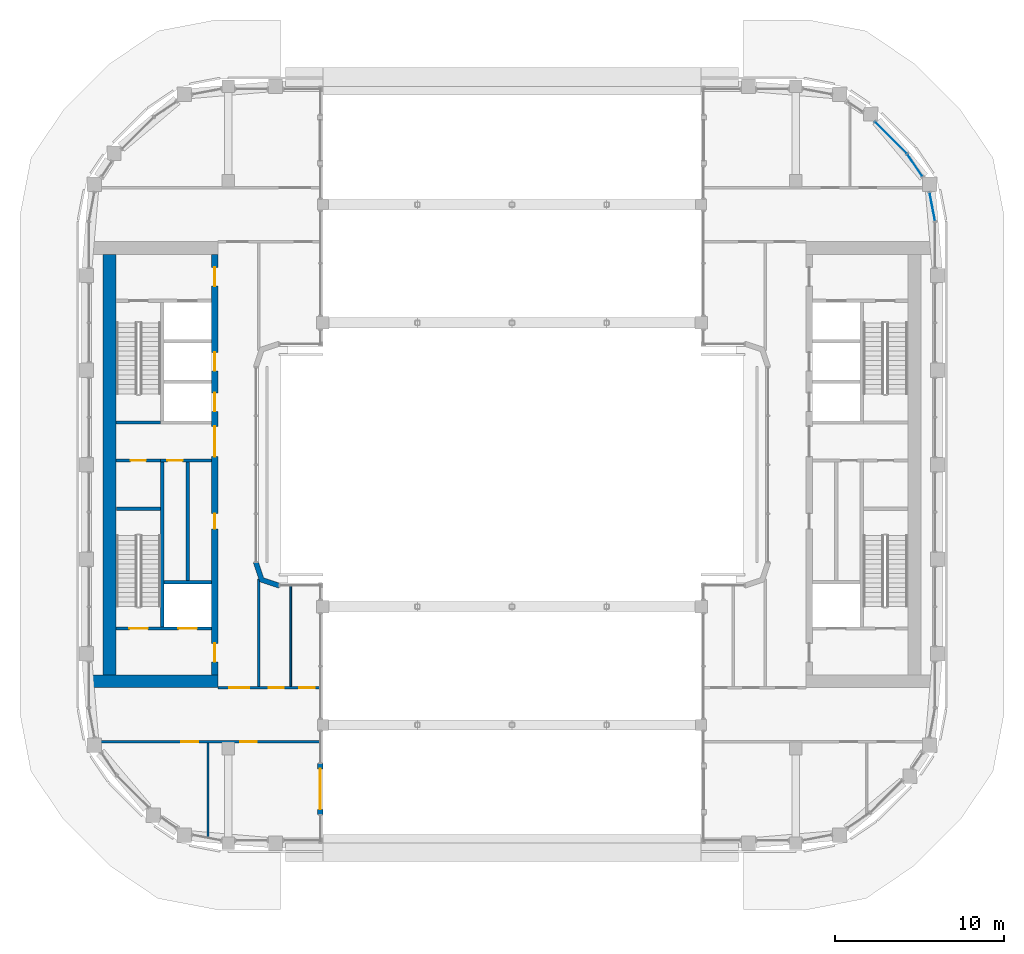
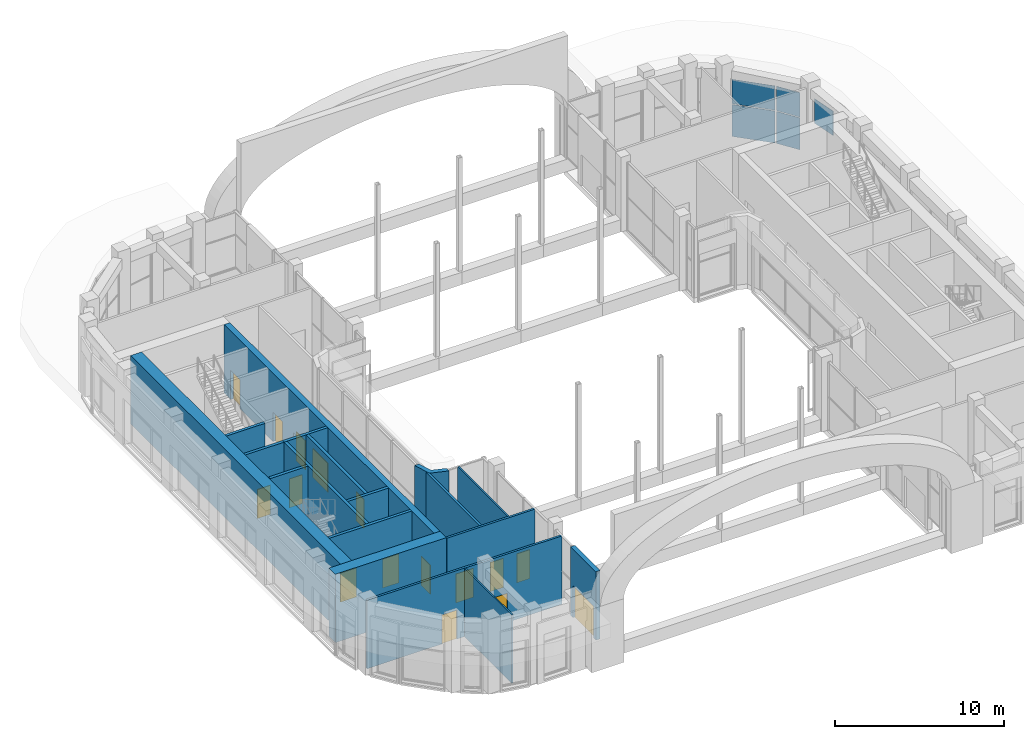
# One storey, part 14 of 26: 18 walls, 16 doors, 5 plates, 16 openings, 3 elements without a shape of their own.
"""IFC4 building model written with IfcOpenShell, lengths in metres."""

import ifcopenshell
import ifcopenshell.guid

model = None  # the IFC model being written
_history = None  # IfcOwnerHistory: only IFC2X3 demands one
_inside = {}  # id of a spatial element -> (the spatial element, [elements in it])
_under = {}  # id of a project, library or spatial element -> (it, [spatial elements below it])
_declared = {}  # id of a project -> (the project, [libraries it declares])
_typed = {}  # id of a type object -> (the type object, [elements of that type])
_made_of = {}  # id of a material, layer set ... -> (it, [elements and type objects made of it])


def new_model(schema):
    """Start an empty IFC model of exactly this schema.

    Asked for "IFC4X3", IfcOpenShell would pick the latest addendum, in which some entities
    have other attributes; the version numbers below select the first issue.
    IFC2X3 requires an IfcOwnerHistory on every rooted entity: one is made here for all.
    """
    global model, _history
    if schema == "IFC4X3":
        model = ifcopenshell.file(schema_version=(4, 3, 0, 0))
    else:
        model = ifcopenshell.file(schema=schema)
    _inside.clear()
    _under.clear()
    _declared.clear()
    _typed.clear()
    _made_of.clear()
    _history = None
    if model.schema == "IFC2X3":
        org = make("IfcOrganization", Name="unknown")
        user = make(
            "IfcPersonAndOrganization",
            ThePerson=make("IfcPerson", FamilyName="unknown"),
            TheOrganization=org,
        )
        app = make(
            "IfcApplication",
            ApplicationDeveloper=org,
            Version="unknown",
            ApplicationFullName="unknown",
            ApplicationIdentifier="unknown",
        )
        _history = make(
            "IfcOwnerHistory",
            OwningUser=user,
            OwningApplication=app,
            ChangeAction="ADDED",
            CreationDate=0,
        )
    return model


def make(cls, **values):
    """One entity of the class cls with the attributes given. An attribute that is None is left unset."""
    return model.create_entity(
        cls, **{name: value for name, value in values.items() if value is not None}
    )


def rooted(cls, **values):
    """An entity with a GlobalId (a new one), such as an element, a storey or a relation."""
    return make(cls, GlobalId=ifcopenshell.guid.new(), OwnerHistory=_history, **values)


def si_unit(unit_type, name, prefix=None):
    """IfcSIUnit, for example si_unit("LENGTHUNIT", "METRE", prefix="MILLI")."""
    return make("IfcSIUnit", UnitType=unit_type, Prefix=prefix, Name=name)


def assignment(units):
    """IfcUnitAssignment: the units of a project."""
    return None if units is None else make("IfcUnitAssignment", Units=units)


def point(xyz):
    """IfcCartesianPoint."""
    return None if xyz is None else make("IfcCartesianPoint", Coordinates=xyz)


def direction(xyz):
    """IfcDirection."""
    return None if xyz is None else make("IfcDirection", DirectionRatios=xyz)


def frame(location, z_axis=None, x_axis=None):
    """IfcAxis2Placement3D, a coordinate frame: its origin and axes. An axis left out is left unset."""
    return make(
        "IfcAxis2Placement3D",
        Location=point(location),
        Axis=direction(z_axis),
        RefDirection=direction(x_axis),
    )


def frame_2d(location, x_axis=None):
    """IfcAxis2Placement2D, a coordinate frame in the plane: its origin and x axis."""
    return make(
        "IfcAxis2Placement2D", Location=point(location), RefDirection=direction(x_axis)
    )


def origin():
    """The frame at (0, 0, 0) with its axes left unset."""
    return frame((0.0, 0.0, 0.0))


def origin_2d():
    """The frame at (0, 0) in the plane with its x axis left unset."""
    return frame_2d((0.0, 0.0))


def place(relative_to, where):
    """IfcLocalPlacement: puts the frame where relative to a parent placement (None: the world)."""
    return make(
        "IfcLocalPlacement", PlacementRelTo=relative_to, RelativePlacement=where
    )


def context(
    kind, dimensions, precision=None, world=None, true_north=None, identifier=None
):
    """IfcGeometricRepresentationContext, for example the 3D "Model" context."""
    return make(
        "IfcGeometricRepresentationContext",
        ContextIdentifier=identifier,
        ContextType=kind,
        CoordinateSpaceDimension=dimensions,
        Precision=precision,
        WorldCoordinateSystem=world,
        TrueNorth=true_north,
    )


def subcontext(parent, identifier, kind, view, scale=None):
    """IfcGeometricRepresentationSubContext, for example "Body" below "Model"."""
    return make(
        "IfcGeometricRepresentationSubContext",
        ContextIdentifier=identifier,
        ContextType=kind,
        ParentContext=parent,
        TargetScale=scale,
        TargetView=view,
    )


def project(units=None, contexts=None):
    """IfcProject with its units and contexts."""
    return rooted(
        "IfcProject",
        Name="project",
        RepresentationContexts=contexts,
        UnitsInContext=assignment(units),
    )


def spatial(cls, under=None, at=None, **own):
    """A site, building, storey or space (cls), placed at a placement, below another one or the project."""
    s = rooted(cls, ObjectPlacement=at, **own)
    if under is not None:
        _under.setdefault(under.id(), (under, []))[1].append(s)
    return s


def polyline(points):
    """IfcPolyline through the points."""
    return make("IfcPolyline", Points=[point(p) for p in points])


def profile(cls, at=None, kind="AREA", **sizes):
    """A parametric profile (cls). Its sizes go by their IFC names, for example OverallWidth=200.0."""
    return make(cls, ProfileType=kind, Position=at, **sizes)


def rectangle(**sizes):
    """IfcRectangleProfileDef."""
    return profile("IfcRectangleProfileDef", **sizes)


def outline(outer, holes=None, kind="AREA"):
    """IfcArbitraryClosedProfileDef: a profile drawn as a closed curve; with holes, ...WithVoids."""
    if holes is None:
        return make("IfcArbitraryClosedProfileDef", ProfileType=kind, OuterCurve=outer)
    return make(
        "IfcArbitraryProfileDefWithVoids",
        ProfileType=kind,
        OuterCurve=outer,
        InnerCurves=holes,
    )


def extrude(swept, where, along, depth):
    """IfcExtrudedAreaSolid: the profile swept, set in the frame where, extruded along a direction by depth."""
    return make(
        "IfcExtrudedAreaSolid",
        SweptArea=swept,
        Position=where,
        ExtrudedDirection=direction(along),
        Depth=depth,
    )


def shape(context_of_items, identifier, shape_type, items):
    """IfcShapeRepresentation: the items that make up one representation, for example the "Body"."""
    return make(
        "IfcShapeRepresentation",
        ContextOfItems=context_of_items,
        RepresentationIdentifier=identifier,
        RepresentationType=shape_type,
        Items=items,
    )


def material(Name=None, Category=None):
    """IfcMaterial."""
    return make("IfcMaterial", Name=Name, Category=Category)


def layer(
    of_material, thickness, ventilated=None, Name=None, Category=None, Priority=None
):
    """IfcMaterialLayer: one layer of a wall or slab, of a material (None: an air gap)."""
    return make(
        "IfcMaterialLayer",
        Material=of_material,
        LayerThickness=thickness,
        IsVentilated=ventilated,
        Name=Name,
        Category=Category,
        Priority=Priority,
    )


def layer_set(layers, Name=None):
    """IfcMaterialLayerSet."""
    return make("IfcMaterialLayerSet", MaterialLayers=layers, LayerSetName=Name)


def made_of(thing, what):
    """Note that an element or type object is made of a material, layer set ...; save() writes the relation."""
    if what is not None:
        _made_of.setdefault(what.id(), (what, []))[1].append(thing)
    return thing


def type_object(cls, material=None, **own):
    """A type object (cls), such as IfcWallType, which elements share."""
    return made_of(rooted(cls, **own), material)


def element(
    cls,
    number,
    at=None,
    inside=None,
    cuts=None,
    type_object=None,
    material=None,
    context=None,
    identifier="Body",
    shape_type=None,
    held_by="IfcProductDefinitionShape",
    body=None,
    shapes=None,
    **own,
):
    """One element of the class cls, such as IfcWall. Its Tag is "e" and its number.

    at: its placement. inside: the storey or other place that contains it. cuts: it is an
    opening in that element (IfcRelVoidsElement). A single representation is given by context,
    identifier, shape_type and body (its items); several are given by shapes. held_by: the class
    of the entity that holds the representations. save() writes the other relations.
    """
    e = rooted(cls, Tag="e%d" % number, ObjectPlacement=at, **own)
    if body is not None:
        shapes = [shape(context, identifier, shape_type, body)]
    if shapes is not None:
        e.Representation = make(held_by, Representations=shapes)
    if inside is not None:
        _inside.setdefault(inside.id(), (inside, []))[1].append(e)
    if cuts is not None:
        rooted(
            "IfcRelVoidsElement", RelatingBuildingElement=cuts, RelatedOpeningElement=e
        )
    if type_object is not None:
        _typed.setdefault(type_object.id(), (type_object, []))[1].append(e)
    return made_of(e, material)


def fill(opening, filler):
    """IfcRelFillsElement: the door or window that sits in an opening."""
    return rooted(
        "IfcRelFillsElement",
        RelatingOpeningElement=opening,
        RelatedBuildingElement=filler,
    )


def aggregate(whole, parts):
    """IfcRelAggregates: a whole, such as a stair, and the parts it consists of."""
    return rooted("IfcRelAggregates", RelatingObject=whole, RelatedObjects=parts)


def save(model, path):
    """Write the relations noted so far, then the file.

    IfcRelAggregates (storeys below a building ...), IfcRelContainedInSpatialStructure (elements
    in a storey), IfcRelDefinesByType, IfcRelAssociatesMaterial and IfcRelDeclares: one each for
    every whole, place, type object, material and project.
    """
    for whole, parts in _under.values():
        aggregate(whole, parts)
    for where, things in _inside.values():
        rooted(
            "IfcRelContainedInSpatialStructure",
            RelatedElements=things,
            RelatingStructure=where,
        )
    for kind, things in _typed.values():
        rooted("IfcRelDefinesByType", RelatedObjects=things, RelatingType=kind)
    for what, things in _made_of.values():
        rooted("IfcRelAssociatesMaterial", RelatedObjects=things, RelatingMaterial=what)
    for by, libraries in _declared.values():
        rooted("IfcRelDeclares", RelatingContext=by, RelatedDefinitions=libraries)
    model.write(path)


model = new_model("IFC4")

# Units and contexts
model_context = context("Model", 3, precision=1e-05, world=origin(), true_north=direction((0.0, 1.0)))
body_context = subcontext(model_context, "Body", "Model", "MODEL_VIEW")
ifc_project = project(units=[si_unit("LENGTHUNIT", "METRE"), si_unit("AREAUNIT", "SQUARE_METRE"), si_unit("VOLUMEUNIT", "CUBIC_METRE"), si_unit("PLANEANGLEUNIT", "RADIAN"), si_unit("MASSUNIT", "GRAM", prefix="KILO")], contexts=[model_context])

# Site, building, storey
site_placement = place(None, origin())
site = spatial("IfcSite", under=ifc_project, at=site_placement, CompositionType="ELEMENT")
building_placement = place(site_placement, origin())
building = spatial("IfcBuilding", under=site, at=building_placement, Name="Kiln Ring Residences", CompositionType="ELEMENT")
storey_placement = place(building_placement, frame((0.0, 0.0, 230.89990234375)))
storey = spatial("IfcBuildingStorey", under=building, at=storey_placement, Name="L60", CompositionType="ELEMENT", Elevation=230.89990234375)

# Curtain wall, plate
ifc_material_1 = material(Name="Aluminium and glass", Category="aluminium")
ifc_layer_1 = layer(ifc_material_1, 0.199951171875)
ifc_layer_set_1 = layer_set([ifc_layer_1], Name="CW1 CURTAIN WALL")
curtain_wall_type = type_object("IfcCurtainWallType", Name="CW1 CURTAIN WALL", PredefinedType="NOTDEFINED", material=ifc_layer_set_1)
placement = place(storey_placement, origin())
curtain_wall_1 = element("IfcCurtainWall", 1, at=placement, inside=storey, type_object=curtain_wall_type, Name="Curtain wall CW1 L60", PredefinedType="NOTDEFINED")
ifc_material_2 = material(Name="Glass, low-e laminated", Category="glass")
ifc_layer_2 = layer(ifc_material_2, 0.028076171875)
ifc_layer_set_2 = layer_set([ifc_layer_2], Name="CW1 PANEL 28")
plate_type = type_object("IfcPlateType", Name="CW1 PANEL 28", PredefinedType="CURTAIN_PANEL", material=ifc_layer_set_2)
plate_1_placement = place(storey_placement, frame((24.881103515625, 15.271240234375, 2.43017578125), z_axis=(0.0, 0.0, 1.0), x_axis=(-0.187365550124, 0.982290257829, 0.0)))
plate_1 = element("IfcPlate", 2, at=plate_1_placement, type_object=plate_type, Name="CW1 panel 1.2", PredefinedType="CURTAIN_PANEL", context=body_context, shape_type="SweptSolid", body=[
    extrude(rectangle(XDim=1.711181640625, YDim=0.028076171875, at=origin_2d()), origin(), (0.0, 0.0, 1.0), 1.760009765625),
])
aggregate(curtain_wall_1, [plate_1])

# Curtain wall, plates
curtain_wall_2 = element("IfcCurtainWall", 3, at=placement, inside=storey, type_object=curtain_wall_type, Name="Curtain wall CW1 L60", PredefinedType="NOTDEFINED")
plate_2_placement = place(storey_placement, frame((23.847412109375, 17.72314453125, 0.06005859375), z_axis=(0.0, 0.0, 1.0), x_axis=(-0.562096651033, 0.827071553674, 0.0)))
plate_2 = element("IfcPlate", 4, at=plate_2_placement, type_object=plate_type, Name="CW1 panel 1.1", PredefinedType="CURTAIN_PANEL", context=body_context, shape_type="SweptSolid", body=[
    extrude(rectangle(XDim=1.54736328125, YDim=0.028076171875, at=origin_2d()), origin(), (0.0, 0.0, 1.0), 2.31005859375),
])
plate_3_placement = place(storey_placement, frame((23.847412109375, 17.72314453125, 2.43017578125), z_axis=(0.0, 0.0, 1.0), x_axis=(-0.562096651033, 0.827071553674, 0.0)))
plate_3 = element("IfcPlate", 5, at=plate_3_placement, type_object=plate_type, Name="CW1 panel 1.2", PredefinedType="CURTAIN_PANEL", context=body_context, shape_type="SweptSolid", body=[
    extrude(rectangle(XDim=1.54736328125, YDim=0.028076171875, at=origin_2d()), origin(), (0.0, 0.0, 1.0), 1.760009765625),
])
aggregate(curtain_wall_2, [plate_2, plate_3])

curtain_wall_3 = element("IfcCurtainWall", 6, at=placement, inside=storey, type_object=curtain_wall_type, Name="Curtain wall CW1 L60", PredefinedType="NOTDEFINED")
plate_4_placement = place(storey_placement, frame((22.425048828125, 19.36279296875, 0.06005859375), z_axis=(0.0, 0.0, 1.0), x_axis=(-0.707106781187, 0.707106781187, 0.0)))
plate_4 = element("IfcPlate", 7, at=plate_4_placement, type_object=plate_type, Name="CW1 panel 1.1", PredefinedType="CURTAIN_PANEL", context=body_context, shape_type="SweptSolid", body=[
    extrude(rectangle(XDim=2.62890625, YDim=0.028076171875, at=origin_2d()), origin(), (0.0, 0.0, 1.0), 2.31005859375),
])
plate_5_placement = place(storey_placement, frame((22.425048828125, 19.36279296875, 2.43017578125), z_axis=(0.0, 0.0, 1.0), x_axis=(-0.707106781187, 0.707106781187, 0.0)))
plate_5 = element("IfcPlate", 8, at=plate_5_placement, type_object=plate_type, Name="CW1 panel 1.2", PredefinedType="CURTAIN_PANEL", context=body_context, shape_type="SweptSolid", body=[
    extrude(rectangle(XDim=2.62890625, YDim=0.028076171875, at=origin_2d()), origin(), (0.0, 0.0, 1.0), 1.760009765625),
])
aggregate(curtain_wall_3, [plate_4, plate_5])

# Wall, opening, door
ifc_material_3 = material(Name="Gypsum board on steel studs", Category="steel")
ifc_layer_3 = layer(ifc_material_3, 0.199951171875)
ifc_layer_set_3 = layer_set([ifc_layer_3], Name="CORE-PARTITION-200")
wall_type_1 = type_object("IfcWallType", Name="CORE-PARTITION-200", PredefinedType="PARTITIONING", material=ifc_layer_set_3)
wall_1_placement = place(storey_placement, frame((-20.800048828125, 0.25, 0.0), z_axis=(0.0, 0.0, 1.0), x_axis=(-1.0, 0.0, 0.0)))
wall_1 = element("IfcWall", 9, at=wall_1_placement, inside=storey, type_object=wall_type_1, Name="Core partition west L60 1", PredefinedType="PARTITIONING", context=body_context, shape_type="SweptSolid", body=[
    extrude(rectangle(XDim=2.64990234375, YDim=0.199951171875, at=frame_2d((1.324951171875, 0.0))), origin(), (0.0, 0.0, 1.0), 4.9501953125),
])
opening_1_placement = place(wall_1_placement, frame((0.875, 0.0, 0.0)))
opening_1 = element("IfcOpeningElement", 10, at=opening_1_placement, cuts=wall_1, Name="Opening L60-CW12", PredefinedType="OPENING", context=body_context, shape_type="SweptSolid", body=[
    extrude(rectangle(XDim=0.89990234375, YDim=2.10009765625, at=frame_2d((0.449951171875, 1.050048828125))), frame((0.0, 0.10986328125, 0.0), z_axis=(0.0, -1.0, 0.0), x_axis=(1.0, 0.0, 0.0)), (0.0, 0.0, 1.0), 0.219970703125),
])
ifc_material_4 = material(Name="Steel door leaf", Category="steel")
door_type_1 = type_object("IfcDoorType", Name="CORE-DOOR-ROOM", OperationType="SINGLE_SWING_LEFT", PredefinedType="DOOR", material=ifc_material_4)
door_1_placement = place(opening_1_placement, origin())
door_1 = element("IfcDoor", 11, at=door_1_placement, inside=storey, type_object=door_type_1, Name="Refuse and recycling room L60-CW12", OperationType="SINGLE_SWING_RIGHT", OverallHeight=2.10009765625, OverallWidth=0.89990234375, PredefinedType="DOOR", context=body_context, shape_type="SweptSolid", body=[
    extrude(rectangle(XDim=0.89990234375, YDim=2.10009765625, at=frame_2d((0.449951171875, 1.050048828125))), frame((0.0, 0.02490234375, 0.0), z_axis=(0.0, -1.0, 0.0), x_axis=(1.0, 0.0, 0.0)), (0.0, 0.0, 1.0), 0.050048828125),
])
fill(opening_1, door_1)

# Walls
wall_2_placement = place(storey_placement, frame((-19.199951171875, -6.85009765625, 0.0), z_axis=(0.0, 0.0, 1.0), x_axis=(0.0, 1.0, 0.0)))
element("IfcWall", 12, at=wall_2_placement, inside=storey, type_object=wall_type_1, Name="Core partition west L60 2", PredefinedType="PARTITIONING", context=body_context, shape_type="SweptSolid", body=[
    extrude(rectangle(XDim=7.0, YDim=0.199951171875, at=frame_2d((3.5, 0.0))), origin(), (0.0, 0.0, 1.0), 4.9501953125),
])
ifc_material_5 = material(Name="Gypsum shaft wall system")
ifc_layer_4 = layer(ifc_material_5, 0.199951171875)
ifc_layer_set_4 = layer_set([ifc_layer_4], Name="CORE-SHAFT-WALL-200")
wall_type_2 = type_object("IfcWallType", Name="CORE-SHAFT-WALL-200", PredefinedType="PARTITIONING", material=ifc_layer_set_4)
wall_3_placement = place(storey_placement, frame((-17.800048828125, -6.949951171875, 0.0), z_axis=(0.0, 0.0, 1.0), x_axis=(-1.0, 0.0, 0.0)))
element("IfcWall", 13, at=wall_3_placement, inside=storey, type_object=wall_type_2, Name="Core partition west L60 3", PredefinedType="PARTITIONING", context=body_context, shape_type="SweptSolid", body=[
    extrude(rectangle(XDim=2.800048828125, YDim=0.199951171875, at=frame_2d((1.39990234375, 0.0))), origin(), (0.0, 0.0, 1.0), 4.9501953125),
])

# Wall, opening, door
wall_4_placement = place(storey_placement, frame((-17.800048828125, 0.25, 0.0), z_axis=(0.0, 0.0, 1.0), x_axis=(-1.0, 0.0, 0.0)))
wall_4 = element("IfcWall", 14, at=wall_4_placement, inside=storey, type_object=wall_type_2, Name="Core partition west L60 4", PredefinedType="PARTITIONING", context=body_context, shape_type="SweptSolid", body=[
    extrude(rectangle(XDim=3.0, YDim=0.199951171875, at=frame_2d((1.5, 0.0))), origin(), (0.0, 0.0, 1.0), 4.9501953125),
])
opening_2_placement = place(wall_4_placement, frame((1.699951171875, 0.0, 0.0)))
opening_2 = element("IfcOpeningElement", 15, at=opening_2_placement, cuts=wall_4, Name="Opening L60-CW03", PredefinedType="OPENING", context=body_context, shape_type="SweptSolid", body=[
    extrude(rectangle(XDim=0.89990234375, YDim=2.10009765625, at=frame_2d((0.449951171875, 1.050048828125))), frame((0.0, 0.10986328125, 0.0), z_axis=(0.0, -1.0, 0.0), x_axis=(1.0, 0.0, 0.0)), (0.0, 0.0, 1.0), 0.219970703125),
])
door_2_placement = place(opening_2_placement, origin())
door_2 = element("IfcDoor", 16, at=door_2_placement, inside=storey, type_object=door_type_1, Name="Locker store L60-CW03", OperationType="SINGLE_SWING_LEFT", OverallHeight=2.10009765625, OverallWidth=0.89990234375, PredefinedType="DOOR", context=body_context, shape_type="SweptSolid", body=[
    extrude(rectangle(XDim=0.89990234375, YDim=2.10009765625, at=frame_2d((0.449951171875, 1.050048828125))), frame((0.0, 0.02490234375, 0.0), z_axis=(0.0, -1.0, 0.0), x_axis=(1.0, 0.0, 0.0)), (0.0, 0.0, 1.0), 0.050048828125),
])
fill(opening_2, door_2)

# Walls
ifc_material_6 = material(Name="Concrete C40/50", Category="concrete")
ifc_layer_5 = layer(ifc_material_6, 0.199951171875)
ifc_layer_set_5 = layer_set([ifc_layer_5], Name="CORE-WALL-RC200")
wall_type_3 = type_object("IfcWallType", Name="CORE-WALL-RC200", PredefinedType="SHEAR", material=ifc_layer_set_5)
wall_5_placement = place(storey_placement, frame((-20.699951171875, -9.60009765625, 0.0), z_axis=(0.0, 0.0, 1.0), x_axis=(0.0, 1.0, 0.0)))
element("IfcWall", 17, at=wall_5_placement, inside=storey, type_object=wall_type_3, Name="Core wall west L60 2", PredefinedType="SHEAR", context=body_context, shape_type="SweptSolid", body=[
    extrude(rectangle(XDim=9.75, YDim=0.199951171875, at=frame_2d((4.875, 0.0))), origin(), (0.0, 0.0, 1.0), 4.9501953125),
])
wall_6_placement = place(storey_placement, frame((-20.800048828125, 2.5, 0.0), z_axis=(0.0, 0.0, 1.0), x_axis=(-1.0, 0.0, 0.0)))
element("IfcWall", 18, at=wall_6_placement, inside=storey, type_object=wall_type_3, Name="Core wall west L60 3", PredefinedType="SHEAR", context=body_context, shape_type="SweptSolid", body=[
    extrude(rectangle(XDim=2.64990234375, YDim=0.199951171875, at=frame_2d((1.324951171875, 0.0))), origin(), (0.0, 0.0, 1.0), 4.9501953125),
])

# Wall, openings, doors
wall_7_placement = place(storey_placement, frame((-17.800048828125, -9.699951171875, 0.0), z_axis=(0.0, 0.0, 1.0), x_axis=(-1.0, 0.0, 0.0)))
wall_7 = element("IfcWall", 19, at=wall_7_placement, inside=storey, type_object=wall_type_3, Name="Core wall west L60 8", PredefinedType="SHEAR", context=body_context, shape_type="SweptSolid", body=[
    extrude(rectangle(XDim=5.64990234375, YDim=0.199951171875, at=frame_2d((2.824951171875, 0.0))), origin(), (0.0, 0.0, 1.0), 4.9501953125),
])
opening_3_placement = place(wall_7_placement, frame((0.85009765625, 0.0, 0.0)))
opening_3 = element("IfcOpeningElement", 20, at=opening_3_placement, cuts=wall_7, Name="Opening L60-CW01", PredefinedType="OPENING", context=body_context, shape_type="SweptSolid", body=[
    extrude(rectangle(XDim=1.10009765625, YDim=2.10009765625, at=frame_2d((0.550048828125, 1.050048828125))), frame((0.0, 0.10986328125, 0.0), z_axis=(0.0, -1.0, 0.0), x_axis=(1.0, 0.0, 0.0)), (0.0, 0.0, 1.0), 0.219970703125),
])
opening_4_placement = place(wall_7_placement, frame((3.75, 0.0, 0.0)))
opening_4 = element("IfcOpeningElement", 21, at=opening_4_placement, cuts=wall_7, Name="Opening L60-CW10", PredefinedType="OPENING", context=body_context, shape_type="SweptSolid", body=[
    extrude(rectangle(XDim=1.10009765625, YDim=2.10009765625, at=frame_2d((0.550048828125, 1.050048828125))), frame((0.0, 0.10986328125, 0.0), z_axis=(0.0, -1.0, 0.0), x_axis=(1.0, 0.0, 0.0)), (0.0, 0.0, 1.0), 0.219970703125),
])
ifc_material_7 = material(Name="Steel door leaf", Category="steel")
door_type_2 = type_object("IfcDoorType", Name="CORE-DOOR-LD", OperationType="DOUBLE_DOOR_SLIDING", PredefinedType="DOOR", material=ifc_material_7)
door_3_placement = place(opening_3_placement, origin())
door_3 = element("IfcDoor", 22, at=door_3_placement, inside=storey, type_object=door_type_2, Name="LD W-SV L60-CW01", OperationType="DOUBLE_DOOR_SLIDING", OverallHeight=2.10009765625, OverallWidth=1.10009765625, PredefinedType="DOOR", context=body_context, shape_type="SweptSolid", body=[
    extrude(rectangle(XDim=1.10009765625, YDim=2.10009765625, at=frame_2d((0.550048828125, 1.050048828125))), frame((0.0, 0.02490234375, 0.0), z_axis=(0.0, -1.0, 0.0), x_axis=(1.0, 0.0, 0.0)), (0.0, 0.0, 1.0), 0.050048828125),
])
fill(opening_3, door_3)
ifc_material_8 = material(Name="Steel door leaf", Category="steel")
door_type_3 = type_object("IfcDoorType", Name="CORE-DOOR-STAIR", OperationType="SINGLE_SWING_LEFT", PredefinedType="DOOR", material=ifc_material_8)
door_4_placement = place(opening_4_placement, origin())
door_4 = element("IfcDoor", 23, at=door_4_placement, inside=storey, type_object=door_type_3, Name="Stair W-STS L60-CW10", OperationType="SINGLE_SWING_LEFT", OverallHeight=2.10009765625, OverallWidth=1.10009765625, PredefinedType="DOOR", context=body_context, shape_type="SweptSolid", body=[
    extrude(rectangle(XDim=1.10009765625, YDim=2.10009765625, at=frame_2d((0.550048828125, 1.050048828125))), frame((0.0, 0.02490234375, 0.0), z_axis=(0.0, -1.0, 0.0), x_axis=(1.0, 0.0, 0.0)), (0.0, 0.0, 1.0), 0.050048828125),
])
fill(opening_4, door_4)

# Wall
wall_8_placement = place(storey_placement, frame((-20.800048828125, -2.60009765625, 0.0), z_axis=(0.0, 0.0, 1.0), x_axis=(-1.0, 0.0, 0.0)))
element("IfcWall", 24, at=wall_8_placement, inside=storey, type_object=wall_type_3, Name="Core wall west L60 10", PredefinedType="SHEAR", context=body_context, shape_type="SweptSolid", body=[
    extrude(rectangle(XDim=2.599853515625, YDim=0.199951171875, at=frame_2d((1.2998046875, 0.0))), origin(), (0.0, 0.0, 1.0), 4.9501953125),
])

# Wall, openings, doors
ifc_material_9 = material(Name="Concrete C60/75", Category="concrete")
ifc_layer_6 = layer(ifc_material_9, 0.39990234375)
ifc_layer_set_6 = layer_set([ifc_layer_6], Name="CORE-WALL-RC400")
wall_type_4 = type_object("IfcWallType", Name="CORE-WALL-RC400", PredefinedType="SHEAR", material=ifc_layer_set_6)
wall_9_placement = place(storey_placement, frame((-17.60009765625, -12.449951171875, 0.0), z_axis=(0.0, 0.0, 1.0), x_axis=(0.0, 1.0, 0.0)))
wall_9 = element("IfcWall", 25, at=wall_9_placement, inside=storey, type_object=wall_type_4, Name="Core wall west L60 6", PredefinedType="SHEAR", context=body_context, shape_type="SweptSolid", body=[
    extrude(rectangle(XDim=24.89990234375, YDim=0.39990234375, at=frame_2d((12.449951171875, 0.0))), origin(), (0.0, 0.0, 1.0), 4.9501953125),
])
opening_5_placement = place(wall_9_placement, frame((8.64990234375, 0.0, 0.0)))
opening_5 = element("IfcOpeningElement", 26, at=opening_5_placement, cuts=wall_9, Name="Opening L60-CW02", PredefinedType="OPENING", context=body_context, shape_type="SweptSolid", body=[
    extrude(rectangle(XDim=0.89990234375, YDim=2.10009765625, at=frame_2d((0.449951171875, 1.050048828125))), frame((0.0, 0.2099609375, 0.0), z_axis=(0.0, -1.0, 0.0), x_axis=(1.0, 0.0, 0.0)), (0.0, 0.0, 1.0), 0.419921875),
])
opening_6_placement = place(wall_9_placement, frame((15.60009765625, 0.0, 0.0)))
opening_6 = element("IfcOpeningElement", 27, at=opening_6_placement, cuts=wall_9, Name="Opening L60-CW04", PredefinedType="OPENING", context=body_context, shape_type="SweptSolid", body=[
    extrude(rectangle(XDim=1.10009765625, YDim=2.10009765625, at=frame_2d((0.550048828125, 1.050048828125))), frame((0.0, 0.2099609375, 0.0), z_axis=(0.0, -1.0, 0.0), x_axis=(1.0, 0.0, 0.0)), (0.0, 0.0, 1.0), 0.419921875),
])
opening_7_placement = place(wall_9_placement, frame((18.0, 0.0, 0.0)))
opening_7 = element("IfcOpeningElement", 28, at=opening_7_placement, cuts=wall_9, Name="Opening L60-CW05", PredefinedType="OPENING", context=body_context, shape_type="SweptSolid", body=[
    extrude(rectangle(XDim=1.10009765625, YDim=2.10009765625, at=frame_2d((0.550048828125, 1.050048828125))), frame((0.0, 0.2099609375, 0.0), z_axis=(0.0, -1.0, 0.0), x_axis=(1.0, 0.0, 0.0)), (0.0, 0.0, 1.0), 0.419921875),
])
opening_8_placement = place(wall_9_placement, frame((23.02490234375, 0.0, 0.0)))
opening_8 = element("IfcOpeningElement", 29, at=opening_8_placement, cuts=wall_9, Name="Opening L60-CW07", PredefinedType="OPENING", context=body_context, shape_type="SweptSolid", body=[
    extrude(rectangle(XDim=1.10009765625, YDim=2.10009765625, at=frame_2d((0.550048828125, 1.050048828125))), frame((0.0, 0.2099609375, 0.0), z_axis=(0.0, -1.0, 0.0), x_axis=(1.0, 0.0, 0.0)), (0.0, 0.0, 1.0), 0.419921875),
])
opening_9_placement = place(wall_9_placement, frame((0.77490234375, 0.0, 0.0)))
opening_9 = element("IfcOpeningElement", 30, at=opening_9_placement, cuts=wall_9, Name="Opening L60-CW08", PredefinedType="OPENING", context=body_context, shape_type="SweptSolid", body=[
    extrude(rectangle(XDim=1.10009765625, YDim=2.10009765625, at=frame_2d((0.550048828125, 1.050048828125))), frame((0.0, 0.2099609375, 0.0), z_axis=(0.0, -1.0, 0.0), x_axis=(1.0, 0.0, 0.0)), (0.0, 0.0, 1.0), 0.419921875),
])
opening_10_placement = place(wall_9_placement, frame((12.925048828125, 0.0, 0.0)))
opening_10 = element("IfcOpeningElement", 31, at=opening_10_placement, cuts=wall_9, Name="Opening L60-CW11", PredefinedType="OPENING", context=body_context, shape_type="SweptSolid", body=[
    extrude(rectangle(XDim=1.800048828125, YDim=2.10009765625, at=frame_2d((0.89990234375, 1.050048828125))), frame((0.0, 0.2099609375, 0.0), z_axis=(0.0, -1.0, 0.0), x_axis=(1.0, 0.0, 0.0)), (0.0, 0.0, 1.0), 0.419921875),
])
door_5_placement = place(opening_6_placement, origin())
door_5 = element("IfcDoor", 32, at=door_5_placement, inside=storey, type_object=door_type_2, Name="LD W-M1 L60-CW04", OperationType="DOUBLE_DOOR_SLIDING", OverallHeight=2.10009765625, OverallWidth=1.10009765625, PredefinedType="DOOR", context=body_context, shape_type="SweptSolid", body=[
    extrude(rectangle(XDim=1.10009765625, YDim=2.10009765625, at=frame_2d((0.550048828125, 1.050048828125))), frame((0.0, 0.02490234375, 0.0), z_axis=(0.0, -1.0, 0.0), x_axis=(1.0, 0.0, 0.0)), (0.0, 0.0, 1.0), 0.050048828125),
])
fill(opening_6, door_5)
door_6_placement = place(opening_7_placement, origin())
door_6 = element("IfcDoor", 33, at=door_6_placement, inside=storey, type_object=door_type_2, Name="LD W-M2 L60-CW05", OperationType="DOUBLE_DOOR_SLIDING", OverallHeight=2.10009765625, OverallWidth=1.10009765625, PredefinedType="DOOR", context=body_context, shape_type="SweptSolid", body=[
    extrude(rectangle(XDim=1.10009765625, YDim=2.10009765625, at=frame_2d((0.550048828125, 1.050048828125))), frame((0.0, 0.02490234375, 0.0), z_axis=(0.0, -1.0, 0.0), x_axis=(1.0, 0.0, 0.0)), (0.0, 0.0, 1.0), 0.050048828125),
])
fill(opening_7, door_6)
ifc_material_10 = material(Name="Steel door leaf", Category="steel")
door_type_4 = type_object("IfcDoorType", Name="CORE-DOOR-LOBBY", OperationType="SINGLE_SWING_LEFT", PredefinedType="DOOR", material=ifc_material_10)
door_7_placement = place(opening_8_placement, origin())
door_7 = element("IfcDoor", 34, at=door_7_placement, inside=storey, type_object=door_type_4, Name="FFL L60-CW07", OperationType="SINGLE_SWING_RIGHT", OverallHeight=2.10009765625, OverallWidth=1.10009765625, PredefinedType="DOOR", context=body_context, shape_type="SweptSolid", body=[
    extrude(rectangle(XDim=1.10009765625, YDim=2.10009765625, at=frame_2d((0.550048828125, 1.050048828125))), frame((0.0, 0.02490234375, 0.0), z_axis=(0.0, -1.0, 0.0), x_axis=(1.0, 0.0, 0.0)), (0.0, 0.0, 1.0), 0.050048828125),
])
fill(opening_8, door_7)
door_8_placement = place(opening_9_placement, origin())
door_8 = element("IfcDoor", 35, at=door_8_placement, inside=storey, type_object=door_type_4, Name="SVL L60-CW08", OperationType="SINGLE_SWING_LEFT", OverallHeight=2.10009765625, OverallWidth=1.10009765625, PredefinedType="DOOR", context=body_context, shape_type="SweptSolid", body=[
    extrude(rectangle(XDim=1.10009765625, YDim=2.10009765625, at=frame_2d((0.550048828125, 1.050048828125))), frame((0.0, 0.02490234375, 0.0), z_axis=(0.0, -1.0, 0.0), x_axis=(1.0, 0.0, 0.0)), (0.0, 0.0, 1.0), 0.050048828125),
])
fill(opening_9, door_8)
ifc_material_11 = material(Name="Steel door leaf", Category="steel")
door_type_5 = type_object("IfcDoorType", Name="CORE-DOOR-PASS", OperationType="DOUBLE_DOOR_SINGLE_SWING", PredefinedType="DOOR", material=ifc_material_11)
door_9_placement = place(opening_10_placement, origin())
door_9 = element("IfcDoor", 36, at=door_9_placement, inside=storey, type_object=door_type_5, Name="Core passage L60-CW11", OperationType="DOUBLE_DOOR_SINGLE_SWING", OverallHeight=2.10009765625, OverallWidth=1.800048828125, PredefinedType="DOOR", context=body_context, shape_type="SweptSolid", body=[
    extrude(rectangle(XDim=1.800048828125, YDim=2.10009765625, at=frame_2d((0.89990234375, 1.050048828125))), frame((0.0, 0.02490234375, 0.0), z_axis=(0.0, -1.0, 0.0), x_axis=(1.0, 0.0, 0.0)), (0.0, 0.0, 1.0), 0.050048828125),
])
fill(opening_10, door_9)
door_10_placement = place(opening_5_placement, origin())
door_10 = element("IfcDoor", 37, at=door_10_placement, inside=storey, type_object=door_type_1, Name="Storage room L60-CW02", OperationType="SINGLE_SWING_RIGHT", OverallHeight=2.10009765625, OverallWidth=0.89990234375, PredefinedType="DOOR", context=body_context, shape_type="SweptSolid", body=[
    extrude(rectangle(XDim=0.89990234375, YDim=2.10009765625, at=frame_2d((0.449951171875, 1.050048828125))), frame((0.0, 0.02490234375, 0.0), z_axis=(0.0, -1.0, 0.0), x_axis=(1.0, 0.0, 0.0)), (0.0, 0.0, 1.0), 0.050048828125),
])
fill(opening_5, door_10)

# Walls
ifc_material_12 = material(Name="Concrete C60/75", Category="concrete")
ifc_layer_7 = layer(ifc_material_12, 0.75)
ifc_layer_set_7 = layer_set([ifc_layer_7], Name="CORE-WALL-RC750")
wall_type_5 = type_object("IfcWallType", Name="CORE-WALL-RC750", PredefinedType="SHEAR", material=ifc_layer_set_7)
wall_10_placement = place(storey_placement, frame((-17.39990234375, -12.824951171875, 0.0), z_axis=(0.0, 0.0, 1.0), x_axis=(-1.0, 0.0, 0.0)))
element("IfcWall", 38, at=wall_10_placement, inside=storey, type_object=wall_type_5, Name="Core wall west L60 5", PredefinedType="SHEAR", context=body_context, shape_type="SweptSolid", body=[
    extrude(rectangle(XDim=7.60009765625, YDim=0.75, at=frame_2d((3.800048828125, 0.0))), origin(), (0.0, 0.0, 1.0), 4.9501953125),
])
wall_11_placement = place(storey_placement, frame((-23.824951171875, -12.449951171875, 0.0), z_axis=(0.0, 0.0, 1.0), x_axis=(0.0, 1.0, 0.0)))
element("IfcWall", 39, at=wall_11_placement, inside=storey, type_object=wall_type_5, Name="Core wall west L60 7", PredefinedType="SHEAR", context=body_context, shape_type="SweptSolid", body=[
    extrude(rectangle(XDim=24.89990234375, YDim=0.75, at=frame_2d((12.449951171875, 0.0))), origin(), (0.0, 0.0, 1.0), 4.9501953125),
])

# Wall, opening, door
ifc_material_13 = material(Name="Brick masonry, dark clay brick", Category="masonry")
ifc_layer_8 = layer(ifc_material_13, 0.300048828125)
ifc_layer_set_8 = layer_set([ifc_layer_8], Name="EW-300 BRICK WALL")
wall_type_6 = type_object("IfcWallType", Name="EW-300 BRICK WALL", PredefinedType="SOLIDWALL", material=ifc_layer_set_8)
wall_12_placement = place(storey_placement, frame((-11.35009765625, -20.699951171875, 0.0), z_axis=(0.0, 0.0, 1.0), x_axis=(0.0, 1.0, 0.0)))
wall_12 = element("IfcWall", 40, at=wall_12_placement, inside=storey, type_object=wall_type_6, Name="Facade wall L60 1", PredefinedType="SOLIDWALL", context=body_context, shape_type="SweptSolid", body=[
    extrude(rectangle(XDim=3.0, YDim=0.300048828125, at=frame_2d((1.5, 0.0))), origin(), (0.0, 0.0, 1.0), 4.9501953125),
])
opening_11_placement = place(wall_12_placement, frame((0.300048828125, 0.0, 0.0)))
opening_11 = element("IfcOpeningElement", 41, at=opening_11_placement, cuts=wall_12, Name="Opening EL60-1", PredefinedType="OPENING", context=body_context, shape_type="SweptSolid", body=[
    extrude(rectangle(XDim=2.39990234375, YDim=2.300048828125, at=frame_2d((1.199951171875, 1.14990234375))), frame((0.0, 0.159912109375, 0.0), z_axis=(0.0, -1.0, 0.0), x_axis=(1.0, 0.0, 0.0)), (0.0, 0.0, 1.0), 0.320068359375),
])
ifc_material_14 = material(Name="Aluminium and glass", Category="aluminium")
door_type_6 = type_object("IfcDoorType", Name="TERRACE DOOR 2400 x 2300", OperationType="DOUBLE_DOOR_SINGLE_SWING", PredefinedType="DOOR", material=ifc_material_14)
door_11_placement = place(opening_11_placement, origin())
door_11 = element("IfcDoor", 42, at=door_11_placement, inside=storey, type_object=door_type_6, Name="Terrace door EL60-1", OperationType="SINGLE_SWING_LEFT", OverallHeight=2.300048828125, OverallWidth=2.39990234375, PredefinedType="DOOR", context=body_context, shape_type="SweptSolid", body=[
    extrude(rectangle(XDim=2.39990234375, YDim=2.300048828125, at=frame_2d((1.199951171875, 1.14990234375))), frame((0.0, 0.02490234375, 0.0), z_axis=(0.0, -1.0, 0.0), x_axis=(1.0, 0.0, 0.0)), (0.0, 0.0, 1.0), 0.050048828125),
])
fill(opening_11, door_11)

# Walls
element("IfcWall", 43, at=placement, inside=storey, type_object=wall_type_6, Name="Corner wall L60 2", PredefinedType="SOLIDWALL", context=body_context, shape_type="SweptSolid", body=[
    extrude(outline(polyline([(-13.800048828125, -7.0), (-14.699951171875, -6.699951171875), (-15.0, -5.800048828125), (-15.300048828125, -5.800048828125), (-15.300048828125, -5.8486328125), (-14.937255859375, -6.937255859375), (-13.8486328125, -7.300048828125), (-13.800048828125, -7.300048828125), (-13.800048828125, -7.0)])), origin(), (0.0, 0.0, 1.0), 4.9501953125),
])
ifc_material_15 = material(Name="Gypsum board on steel studs", Category="steel")
ifc_layer_9 = layer(ifc_material_15, 0.10009765625)
ifc_layer_set_9 = layer_set([ifc_layer_9], Name="PARTITION-100")
wall_type_7 = type_object("IfcWallType", Name="PARTITION-100", PredefinedType="PARTITIONING", material=ifc_layer_set_9)
wall_14_placement = place(storey_placement, frame((-18.0, -22.060302734375, 0.0), z_axis=(0.0, 0.0, 1.0), x_axis=(0.0, 1.0, 0.0)))
element("IfcWall", 44, at=wall_14_placement, inside=storey, type_object=wall_type_7, Name="Partition 008", PredefinedType="PARTITIONING", context=body_context, shape_type="SweptSolid", body=[
    extrude(rectangle(XDim=5.585205078125, YDim=0.10009765625, at=frame_2d((2.79248046875, 0.0))), origin(), (0.0, 0.0, 1.0), 4.9501953125),
])
wall_15_placement = place(storey_placement, frame((-13.10009765625, -13.125, 0.0), z_axis=(0.0, 0.0, 1.0), x_axis=(0.0, 1.0, 0.0)))
element("IfcWall", 45, at=wall_15_placement, inside=storey, type_object=wall_type_7, Name="Partition 011", PredefinedType="PARTITIONING", context=body_context, shape_type="SweptSolid", body=[
    extrude(rectangle(XDim=5.94091796875, YDim=0.10009765625, at=frame_2d((2.970458984375, 0.0))), origin(), (0.0, 0.0, 1.0), 4.9501953125),
])

# Wall, openings, doors
ifc_material_16 = material(Name="Brick masonry partition", Category="masonry")
ifc_layer_10 = layer(ifc_material_16, 0.14990234375)
ifc_layer_set_10 = layer_set([ifc_layer_10], Name="PARTITION-150-ei60")
wall_type_8 = type_object("IfcWallType", Name="PARTITION-150-ei60", PredefinedType="PARTITIONING", material=ifc_layer_set_10)
wall_16_placement = place(storey_placement, frame((-24.719970703125, -16.39990234375, 0.0), z_axis=(0.0, 0.0, 1.0), x_axis=(1.0, 0.0, 0.0)))
wall_16 = element("IfcWall", 46, at=wall_16_placement, inside=storey, type_object=wall_type_8, Name="Partition 000", PredefinedType="PARTITIONING", context=body_context, shape_type="SweptSolid", body=[
    extrude(rectangle(XDim=13.3359375, YDim=0.14990234375, at=frame_2d((6.66796875, 0.0))), origin(), (0.0, 0.0, 1.0), 4.9501953125),
])
opening_12_placement = place(wall_16_placement, frame((8.6201171875, 0.0, 0.0)))
opening_12 = element("IfcOpeningElement", 47, at=opening_12_placement, cuts=wall_16, Name="Opening L60-D011", PredefinedType="OPENING", context=body_context, shape_type="SweptSolid", body=[
    extrude(rectangle(XDim=1.0, YDim=2.10009765625, at=frame_2d((0.5, 1.050048828125))), frame((0.0, 0.0849609375, 0.0), z_axis=(0.0, -1.0, 0.0), x_axis=(1.0, 0.0, 0.0)), (0.0, 0.0, 1.0), 0.169921875),
])
opening_13_placement = place(wall_16_placement, frame((5.14306640625, 0.0, 0.0)))
opening_13 = element("IfcOpeningElement", 48, at=opening_13_placement, cuts=wall_16, Name="Opening L60-D012", PredefinedType="OPENING", context=body_context, shape_type="SweptSolid", body=[
    extrude(rectangle(XDim=1.0, YDim=2.10009765625, at=frame_2d((0.5, 1.050048828125))), frame((0.0, 0.0849609375, 0.0), z_axis=(0.0, -1.0, 0.0), x_axis=(1.0, 0.0, 0.0)), (0.0, 0.0, 1.0), 0.169921875),
])
ifc_material_17 = material(Name="Steel faced fire door leaf", Category="steel")
door_type_7 = type_object("IfcDoorType", Name="FLAT-DOOR-1000-FR", OperationType="SINGLE_SWING_LEFT", PredefinedType="DOOR", material=ifc_material_17)
door_12_placement = place(opening_12_placement, origin())
door_12 = element("IfcDoor", 49, at=door_12_placement, inside=storey, type_object=door_type_7, Name="Door L60-D011", OperationType="SINGLE_SWING_LEFT", OverallHeight=2.10009765625, OverallWidth=1.0, PredefinedType="DOOR", context=body_context, shape_type="SweptSolid", body=[
    extrude(rectangle(XDim=1.0, YDim=2.10009765625, at=frame_2d((0.5, 1.050048828125))), frame((0.0, 0.02490234375, 0.0), z_axis=(0.0, -1.0, 0.0), x_axis=(1.0, 0.0, 0.0)), (0.0, 0.0, 1.0), 0.050048828125),
])
fill(opening_12, door_12)
door_13_placement = place(opening_13_placement, origin())
door_13 = element("IfcDoor", 50, at=door_13_placement, inside=storey, type_object=door_type_7, Name="Door L60-D012", OperationType="SINGLE_SWING_RIGHT", OverallHeight=2.10009765625, OverallWidth=1.0, PredefinedType="DOOR", context=body_context, shape_type="SweptSolid", body=[
    extrude(rectangle(XDim=1.0, YDim=2.10009765625, at=frame_2d((0.5, 1.050048828125))), frame((0.0, 0.02490234375, 0.0), z_axis=(0.0, -1.0, 0.0), x_axis=(1.0, 0.0, 0.0)), (0.0, 0.0, 1.0), 0.050048828125),
])
fill(opening_13, door_13)

wall_17_placement = place(storey_placement, frame((-17.39990234375, -13.199951171875, 0.0), z_axis=(0.0, 0.0, 1.0), x_axis=(1.0, 0.0, 0.0)))
wall_17 = element("IfcWall", 51, at=wall_17_placement, inside=storey, type_object=wall_type_8, Name="Partition 002", PredefinedType="PARTITIONING", context=body_context, shape_type="SweptSolid", body=[
    extrude(rectangle(XDim=6.015869140625, YDim=0.14990234375, at=frame_2d((3.0078125, 0.0))), origin(), (0.0, 0.0, 1.0), 4.9501953125),
])
opening_14_placement = place(wall_17_placement, frame((0.64990234375, 0.0, 0.0)))
opening_14 = element("IfcOpeningElement", 52, at=opening_14_placement, cuts=wall_17, Name="Opening L60-D008", PredefinedType="OPENING", context=body_context, shape_type="SweptSolid", body=[
    extrude(rectangle(XDim=1.199951171875, YDim=2.10009765625, at=frame_2d((0.60009765625, 1.050048828125))), frame((0.0, 0.0849609375, 0.0), z_axis=(0.0, -1.0, 0.0), x_axis=(1.0, 0.0, 0.0)), (0.0, 0.0, 1.0), 0.169921875),
])
opening_15_placement = place(wall_17_placement, frame((4.81005859375, 0.0, 0.0)))
opening_15 = element("IfcOpeningElement", 53, at=opening_15_placement, cuts=wall_17, Name="Opening L60-D009", PredefinedType="OPENING", context=body_context, shape_type="SweptSolid", body=[
    extrude(rectangle(XDim=0.89990234375, YDim=2.10009765625, at=frame_2d((0.449951171875, 1.050048828125))), frame((0.0, 0.0849609375, 0.0), z_axis=(0.0, -1.0, 0.0), x_axis=(1.0, 0.0, 0.0)), (0.0, 0.0, 1.0), 0.169921875),
])
opening_16_placement = place(wall_17_placement, frame((3.0, 0.0, 0.0)))
opening_16 = element("IfcOpeningElement", 54, at=opening_16_placement, cuts=wall_17, Name="Opening L60-D010", PredefinedType="OPENING", context=body_context, shape_type="SweptSolid", body=[
    extrude(rectangle(XDim=0.89990234375, YDim=2.10009765625, at=frame_2d((0.449951171875, 1.050048828125))), frame((0.0, 0.0849609375, 0.0), z_axis=(0.0, -1.0, 0.0), x_axis=(1.0, 0.0, 0.0)), (0.0, 0.0, 1.0), 0.169921875),
])
ifc_material_18 = material(Name="Steel faced fire door leaf", Category="steel")
door_type_8 = type_object("IfcDoorType", Name="FLAT-DOOR-1200-FR", OperationType="SINGLE_SWING_LEFT", PredefinedType="DOOR", material=ifc_material_18)
door_14_placement = place(opening_14_placement, origin())
door_14 = element("IfcDoor", 55, at=door_14_placement, inside=storey, type_object=door_type_8, Name="Door L60-D008", OperationType="SINGLE_SWING_LEFT", OverallHeight=2.10009765625, OverallWidth=1.199951171875, PredefinedType="DOOR", context=body_context, shape_type="SweptSolid", body=[
    extrude(rectangle(XDim=1.199951171875, YDim=2.10009765625, at=frame_2d((0.60009765625, 1.050048828125))), frame((0.0, 0.02490234375, 0.0), z_axis=(0.0, -1.0, 0.0), x_axis=(1.0, 0.0, 0.0)), (0.0, 0.0, 1.0), 0.050048828125),
])
fill(opening_14, door_14)
ifc_material_19 = material(Name="Steel faced fire door leaf", Category="steel")
door_type_9 = type_object("IfcDoorType", Name="FLAT-DOOR-900-FR", OperationType="SINGLE_SWING_LEFT", PredefinedType="DOOR", material=ifc_material_19)
door_15_placement = place(opening_15_placement, origin())
door_15 = element("IfcDoor", 56, at=door_15_placement, inside=storey, type_object=door_type_9, Name="Door L60-D009", OperationType="SINGLE_SWING_LEFT", OverallHeight=2.10009765625, OverallWidth=0.89990234375, PredefinedType="DOOR", context=body_context, shape_type="SweptSolid", body=[
    extrude(rectangle(XDim=0.89990234375, YDim=2.10009765625, at=frame_2d((0.449951171875, 1.050048828125))), frame((0.0, 0.02490234375, 0.0), z_axis=(0.0, -1.0, 0.0), x_axis=(1.0, 0.0, 0.0)), (0.0, 0.0, 1.0), 0.050048828125),
])
fill(opening_15, door_15)
door_16_placement = place(opening_16_placement, origin())
door_16 = element("IfcDoor", 57, at=door_16_placement, inside=storey, type_object=door_type_9, Name="Door L60-D010", OperationType="SINGLE_SWING_RIGHT", OverallHeight=2.10009765625, OverallWidth=0.89990234375, PredefinedType="DOOR", context=body_context, shape_type="SweptSolid", body=[
    extrude(rectangle(XDim=0.89990234375, YDim=2.10009765625, at=frame_2d((0.449951171875, 1.050048828125))), frame((0.0, 0.02490234375, 0.0), z_axis=(0.0, -1.0, 0.0), x_axis=(1.0, 0.0, 0.0)), (0.0, 0.0, 1.0), 0.050048828125),
])
fill(opening_16, door_16)

# Wall
wall_18_placement = place(storey_placement, frame((-15.0, -13.125, 0.0), z_axis=(0.0, 0.0, 1.0), x_axis=(0.0, 1.0, 0.0)))
element("IfcWall", 58, at=wall_18_placement, inside=storey, type_object=wall_type_8, Name="Partition 009", PredefinedType="PARTITIONING", context=body_context, shape_type="SweptSolid", body=[
    extrude(rectangle(XDim=6.356201171875, YDim=0.14990234375, at=frame_2d((3.17822265625, 0.0))), origin(), (0.0, 0.0, 1.0), 4.9501953125),
])

save(model, "model.ifc")
